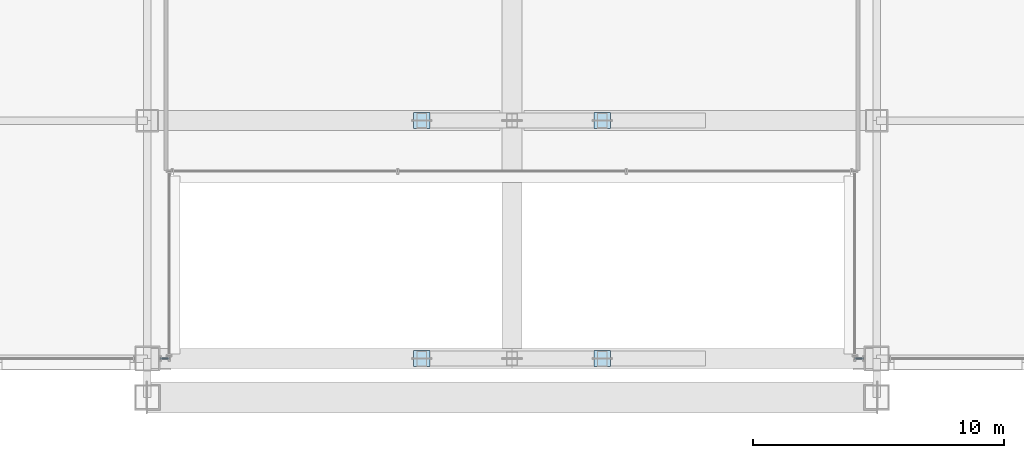
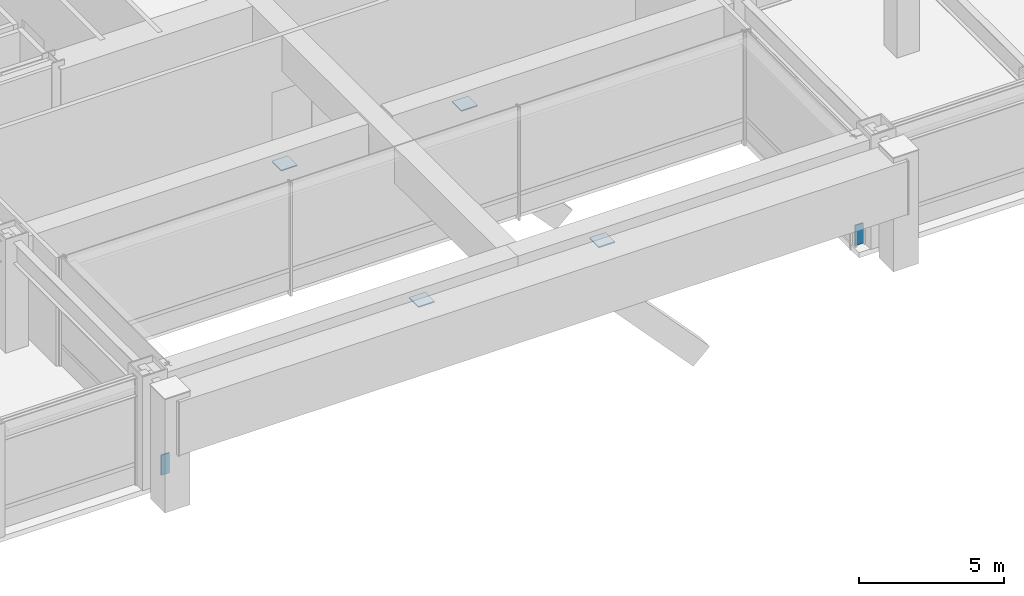
# One storey, part 31 of 37: 6 plates, 2 elements without a shape of their own.
"""IFC4 building model written with IfcOpenShell, lengths in metres."""

import ifcopenshell
import ifcopenshell.guid

model = None  # the IFC model being written
_history = None  # IfcOwnerHistory: only IFC2X3 demands one
_inside = {}  # id of a spatial element -> (the spatial element, [elements in it])
_under = {}  # id of a project, library or spatial element -> (it, [spatial elements below it])
_declared = {}  # id of a project -> (the project, [libraries it declares])
_typed = {}  # id of a type object -> (the type object, [elements of that type])
_made_of = {}  # id of a material, layer set ... -> (it, [elements and type objects made of it])


def new_model(schema):
    """Start an empty IFC model of exactly this schema.

    Asked for "IFC4X3", IfcOpenShell would pick the latest addendum, in which some entities
    have other attributes; the version numbers below select the first issue.
    IFC2X3 requires an IfcOwnerHistory on every rooted entity: one is made here for all.
    """
    global model, _history
    if schema == "IFC4X3":
        model = ifcopenshell.file(schema_version=(4, 3, 0, 0))
    else:
        model = ifcopenshell.file(schema=schema)
    _inside.clear()
    _under.clear()
    _declared.clear()
    _typed.clear()
    _made_of.clear()
    _history = None
    if model.schema == "IFC2X3":
        org = make("IfcOrganization", Name="unknown")
        user = make(
            "IfcPersonAndOrganization",
            ThePerson=make("IfcPerson", FamilyName="unknown"),
            TheOrganization=org,
        )
        app = make(
            "IfcApplication",
            ApplicationDeveloper=org,
            Version="unknown",
            ApplicationFullName="unknown",
            ApplicationIdentifier="unknown",
        )
        _history = make(
            "IfcOwnerHistory",
            OwningUser=user,
            OwningApplication=app,
            ChangeAction="ADDED",
            CreationDate=0,
        )
    return model


def make(cls, **values):
    """One entity of the class cls with the attributes given. An attribute that is None is left unset."""
    return model.create_entity(
        cls, **{name: value for name, value in values.items() if value is not None}
    )


def rooted(cls, **values):
    """An entity with a GlobalId (a new one), such as an element, a storey or a relation."""
    return make(cls, GlobalId=ifcopenshell.guid.new(), OwnerHistory=_history, **values)


def si_unit(unit_type, name, prefix=None):
    """IfcSIUnit, for example si_unit("LENGTHUNIT", "METRE", prefix="MILLI")."""
    return make("IfcSIUnit", UnitType=unit_type, Prefix=prefix, Name=name)


def assignment(units):
    """IfcUnitAssignment: the units of a project."""
    return None if units is None else make("IfcUnitAssignment", Units=units)


def point(xyz):
    """IfcCartesianPoint."""
    return None if xyz is None else make("IfcCartesianPoint", Coordinates=xyz)


def direction(xyz):
    """IfcDirection."""
    return None if xyz is None else make("IfcDirection", DirectionRatios=xyz)


def frame(location, z_axis=None, x_axis=None):
    """IfcAxis2Placement3D, a coordinate frame: its origin and axes. An axis left out is left unset."""
    return make(
        "IfcAxis2Placement3D",
        Location=point(location),
        Axis=direction(z_axis),
        RefDirection=direction(x_axis),
    )


def frame_2d(location, x_axis=None):
    """IfcAxis2Placement2D, a coordinate frame in the plane: its origin and x axis."""
    return make(
        "IfcAxis2Placement2D", Location=point(location), RefDirection=direction(x_axis)
    )


def origin():
    """The frame at (0, 0, 0) with its axes left unset."""
    return frame((0.0, 0.0, 0.0))


def origin_2d():
    """The frame at (0, 0) in the plane with its x axis left unset."""
    return frame_2d((0.0, 0.0))


def place(relative_to, where):
    """IfcLocalPlacement: puts the frame where relative to a parent placement (None: the world)."""
    return make(
        "IfcLocalPlacement", PlacementRelTo=relative_to, RelativePlacement=where
    )


def context(
    kind, dimensions, precision=None, world=None, true_north=None, identifier=None
):
    """IfcGeometricRepresentationContext, for example the 3D "Model" context."""
    return make(
        "IfcGeometricRepresentationContext",
        ContextIdentifier=identifier,
        ContextType=kind,
        CoordinateSpaceDimension=dimensions,
        Precision=precision,
        WorldCoordinateSystem=world,
        TrueNorth=true_north,
    )


def subcontext(parent, identifier, kind, view, scale=None):
    """IfcGeometricRepresentationSubContext, for example "Body" below "Model"."""
    return make(
        "IfcGeometricRepresentationSubContext",
        ContextIdentifier=identifier,
        ContextType=kind,
        ParentContext=parent,
        TargetScale=scale,
        TargetView=view,
    )


def project(units=None, contexts=None):
    """IfcProject with its units and contexts."""
    return rooted(
        "IfcProject",
        Name="project",
        RepresentationContexts=contexts,
        UnitsInContext=assignment(units),
    )


def spatial(cls, under=None, at=None, **own):
    """A site, building, storey or space (cls), placed at a placement, below another one or the project."""
    s = rooted(cls, ObjectPlacement=at, **own)
    if under is not None:
        _under.setdefault(under.id(), (under, []))[1].append(s)
    return s


def profile(cls, at=None, kind="AREA", **sizes):
    """A parametric profile (cls). Its sizes go by their IFC names, for example OverallWidth=200.0."""
    return make(cls, ProfileType=kind, Position=at, **sizes)


def rectangle(**sizes):
    """IfcRectangleProfileDef."""
    return profile("IfcRectangleProfileDef", **sizes)


def extrude(swept, where, along, depth):
    """IfcExtrudedAreaSolid: the profile swept, set in the frame where, extruded along a direction by depth."""
    return make(
        "IfcExtrudedAreaSolid",
        SweptArea=swept,
        Position=where,
        ExtrudedDirection=direction(along),
        Depth=depth,
    )


def shape(context_of_items, identifier, shape_type, items):
    """IfcShapeRepresentation: the items that make up one representation, for example the "Body"."""
    return make(
        "IfcShapeRepresentation",
        ContextOfItems=context_of_items,
        RepresentationIdentifier=identifier,
        RepresentationType=shape_type,
        Items=items,
    )


def material(Name=None, Category=None):
    """IfcMaterial."""
    return make("IfcMaterial", Name=Name, Category=Category)


def layer(
    of_material, thickness, ventilated=None, Name=None, Category=None, Priority=None
):
    """IfcMaterialLayer: one layer of a wall or slab, of a material (None: an air gap)."""
    return make(
        "IfcMaterialLayer",
        Material=of_material,
        LayerThickness=thickness,
        IsVentilated=ventilated,
        Name=Name,
        Category=Category,
        Priority=Priority,
    )


def layer_set(layers, Name=None):
    """IfcMaterialLayerSet."""
    return make("IfcMaterialLayerSet", MaterialLayers=layers, LayerSetName=Name)


def made_of(thing, what):
    """Note that an element or type object is made of a material, layer set ...; save() writes the relation."""
    if what is not None:
        _made_of.setdefault(what.id(), (what, []))[1].append(thing)
    return thing


def type_object(cls, material=None, **own):
    """A type object (cls), such as IfcWallType, which elements share."""
    return made_of(rooted(cls, **own), material)


def element(
    cls,
    number,
    at=None,
    inside=None,
    cuts=None,
    type_object=None,
    material=None,
    context=None,
    identifier="Body",
    shape_type=None,
    held_by="IfcProductDefinitionShape",
    body=None,
    shapes=None,
    **own,
):
    """One element of the class cls, such as IfcWall. Its Tag is "e" and its number.

    at: its placement. inside: the storey or other place that contains it. cuts: it is an
    opening in that element (IfcRelVoidsElement). A single representation is given by context,
    identifier, shape_type and body (its items); several are given by shapes. held_by: the class
    of the entity that holds the representations. save() writes the other relations.
    """
    e = rooted(cls, Tag="e%d" % number, ObjectPlacement=at, **own)
    if body is not None:
        shapes = [shape(context, identifier, shape_type, body)]
    if shapes is not None:
        e.Representation = make(held_by, Representations=shapes)
    if inside is not None:
        _inside.setdefault(inside.id(), (inside, []))[1].append(e)
    if cuts is not None:
        rooted(
            "IfcRelVoidsElement", RelatingBuildingElement=cuts, RelatedOpeningElement=e
        )
    if type_object is not None:
        _typed.setdefault(type_object.id(), (type_object, []))[1].append(e)
    return made_of(e, material)


def aggregate(whole, parts):
    """IfcRelAggregates: a whole, such as a stair, and the parts it consists of."""
    return rooted("IfcRelAggregates", RelatingObject=whole, RelatedObjects=parts)


def save(model, path):
    """Write the relations noted so far, then the file.

    IfcRelAggregates (storeys below a building ...), IfcRelContainedInSpatialStructure (elements
    in a storey), IfcRelDefinesByType, IfcRelAssociatesMaterial and IfcRelDeclares: one each for
    every whole, place, type object, material and project.
    """
    for whole, parts in _under.values():
        aggregate(whole, parts)
    for where, things in _inside.values():
        rooted(
            "IfcRelContainedInSpatialStructure",
            RelatedElements=things,
            RelatingStructure=where,
        )
    for kind, things in _typed.values():
        rooted("IfcRelDefinesByType", RelatedObjects=things, RelatingType=kind)
    for what, things in _made_of.values():
        rooted("IfcRelAssociatesMaterial", RelatedObjects=things, RelatingMaterial=what)
    for by, libraries in _declared.values():
        rooted("IfcRelDeclares", RelatingContext=by, RelatedDefinitions=libraries)
    model.write(path)


model = new_model("IFC4")

# Units and contexts
model_context = context("Model", 3, precision=1e-05, world=origin(), true_north=direction((0.0, 1.0)))
body_context = subcontext(model_context, "Body", "Model", "MODEL_VIEW")
ifc_project = project(units=[si_unit("LENGTHUNIT", "METRE"), si_unit("AREAUNIT", "SQUARE_METRE"), si_unit("VOLUMEUNIT", "CUBIC_METRE"), si_unit("PLANEANGLEUNIT", "RADIAN"), si_unit("MASSUNIT", "GRAM", prefix="KILO")], contexts=[model_context])

# Site, building, storey
site_placement = place(None, origin())
site = spatial("IfcSite", under=ifc_project, at=site_placement, CompositionType="ELEMENT")
building_placement = place(site_placement, origin())
building = spatial("IfcBuilding", under=site, at=building_placement, Name="Brelmoor Portico Tower", CompositionType="ELEMENT")
storey_placement = place(building_placement, frame((0.0, 0.0, 14.39990234375)))
storey = spatial("IfcBuildingStorey", under=building, at=storey_placement, Name="L03", CompositionType="ELEMENT", Elevation=14.39990234375)

# Plates
ifc_material_1 = material(Name="Steel Q355B", Category="steel")
ifc_layer_1 = layer(ifc_material_1, 0.044921875)
ifc_layer_set_1 = layer_set([ifc_layer_1], Name="Steel Q355B")
plate_type_1 = type_object("IfcPlateType", Name="PT-CAP-650", PredefinedType="SHEET", material=ifc_layer_set_1)
for number, where, z_axis, x_axis, name in (
    (1, (-3.60009765625, -27.550048828125, 3.732666015625), (0.0, 0.0, 1.0), (1.0, 0.0, 0.0), "Portico Arch Spandrel Strut S1-3 Joint Cap Plate 2"),
    (2, (3.60009765625, -27.550048828125, 3.732666015625), (0.0, 0.0, 1.0), (1.0, 0.0, 0.0), "Portico Arch Spandrel Strut S1-4 Joint Cap Plate 2"),
    (3, (-3.60009765625, -18.050048828125, 3.732666015625), (0.0, 0.0, 1.0), (1.0, 0.0, 0.0), "Portico Arch Spandrel Strut S2-3 Joint Cap Plate 2"),
    (4, (3.60009765625, -18.050048828125, 3.732666015625), (0.0, 0.0, 1.0), (1.0, 0.0, 0.0), "Portico Arch Spandrel Strut S2-4 Joint Cap Plate 2"),
):
    element("IfcPlate", number, at=place(storey_placement, frame(where, z_axis=z_axis, x_axis=x_axis)), inside=storey, type_object=plate_type_1, Name=name, PredefinedType="SHEET", context=body_context, shape_type="SweptSolid", body=[
        extrude(rectangle(XDim=0.64990234375, YDim=0.64990234375, at=origin_2d()), origin(), (0.0, 0.0, 1.0), 0.044921875),
    ])

# Curtain wall, plate
ifc_material_2 = material(Name="Anodised Aluminium Alloy 6063-T6", Category="aluminium")
ifc_layer_2 = layer(ifc_material_2, 0.179931640625)
ifc_layer_set_2 = layer_set([ifc_layer_2], Name="Anodised Aluminium Alloy 6063-T6")
curtain_wall_type = type_object("IfcCurtainWallType", Name="CW-PODIUM-ARCH", PredefinedType="NOTDEFINED", material=ifc_layer_set_2)
curtain_wall_1_placement = place(storey_placement, origin())
curtain_wall_1 = element("IfcCurtainWall", 5, at=curtain_wall_1_placement, inside=storey, type_object=curtain_wall_type, Name="L03 Curtain Wall CW-L03-01-3", PredefinedType="NOTDEFINED")
ifc_material_3 = material(Name="Pale Champagne Anodised Aluminium Panel", Category="aluminium")
ifc_layer_3 = layer(ifc_material_3, 0.050048828125)
ifc_layer_set_3 = layer_set([ifc_layer_3], Name="Pale Champagne Anodised Aluminium Panel")
plate_type_2 = type_object("IfcPlateType", Name="PT-CW-SPANDREL", PredefinedType="SHEET", material=ifc_layer_set_3)
plate_1_placement = place(storey_placement, frame((-13.860107421875, -27.550048828125, 0.0), z_axis=(0.0, 0.0, 1.0), x_axis=(1.0, 0.0, 0.0)))
plate_1 = element("IfcPlate", 6, at=plate_1_placement, type_object=plate_type_2, Name="CW-L03-01-3 Spandrel Panel 00", PredefinedType="SHEET", context=body_context, shape_type="SweptSolid", body=[
    extrude(rectangle(XDim=0.330078125, YDim=0.050048828125, at=origin_2d()), origin(), (0.0, 0.0, 1.0), 0.85009765625),
])
aggregate(curtain_wall_1, [plate_1])

curtain_wall_2_placement = place(storey_placement, origin())
curtain_wall_2 = element("IfcCurtainWall", 7, at=curtain_wall_2_placement, inside=storey, type_object=curtain_wall_type, Name="L03 Curtain Wall CW-L03-02-1", PredefinedType="NOTDEFINED")
plate_2_placement = place(storey_placement, frame((13.860107421875, -27.550048828125, 0.0), z_axis=(0.0, 0.0, 1.0), x_axis=(1.0, 0.0, 0.0)))
plate_2 = element("IfcPlate", 8, at=plate_2_placement, type_object=plate_type_2, Name="CW-L03-02-1 Spandrel Panel 00", PredefinedType="SHEET", context=body_context, shape_type="SweptSolid", body=[
    extrude(rectangle(XDim=0.330078125, YDim=0.050048828125, at=origin_2d()), origin(), (0.0, 0.0, 1.0), 0.85009765625),
])
aggregate(curtain_wall_2, [plate_2])

save(model, "model.ifc")
